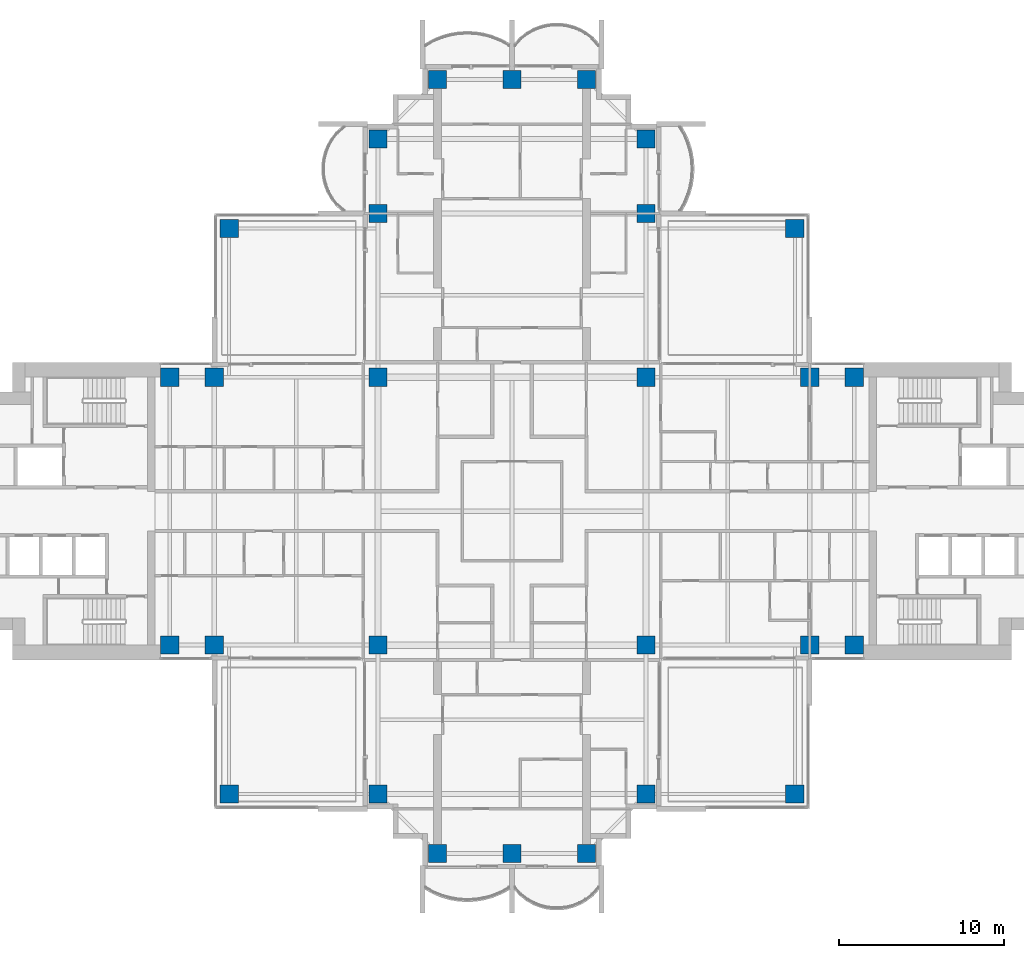
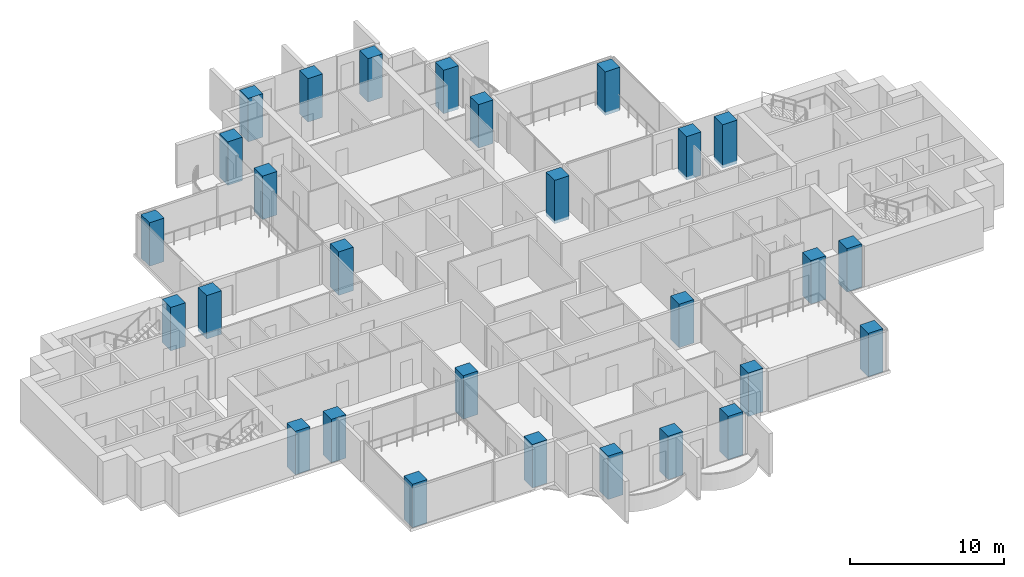
# One storey, part 1 of 19: 28 columns.
"""IFC4 building model written with IfcOpenShell, lengths in metres."""

from ifc_helpers import new_model, si_unit, direction, frame, origin, origin_2d, place, context, subcontext, project, spatial, rectangle, extrude, material, material_profile, profile_set, type_object, element, save


model = new_model("IFC4")

# Units and contexts
model_context = context("Model", 3, precision=1e-05, world=origin(), true_north=direction((0.0, 1.0)))
body_context = subcontext(model_context, "Body", "Model", "MODEL_VIEW")
ifc_project = project(units=[si_unit("LENGTHUNIT", "METRE"), si_unit("AREAUNIT", "SQUARE_METRE"), si_unit("VOLUMEUNIT", "CUBIC_METRE"), si_unit("PLANEANGLEUNIT", "RADIAN"), si_unit("MASSUNIT", "GRAM", prefix="KILO")], contexts=[model_context])

# Site, building, storey
site_placement = place(None, origin())
site = spatial("IfcSite", under=ifc_project, at=site_placement, CompositionType="ELEMENT")
building_placement = place(site_placement, origin())
building = spatial("IfcBuilding", under=site, at=building_placement, Name="Perihelion Cross Residences", CompositionType="ELEMENT")
storey_placement = place(building_placement, frame((0.0, 0.0, 151.39990234375)))
storey = spatial("IfcBuildingStorey", under=building, at=storey_placement, Name="L37", CompositionType="ELEMENT", Elevation=151.39990234375)

# Columns
ifc_material = material(Name="Concrete C60/75", Category="concrete")
ifc_material_profile = material_profile(ifc_material, rectangle(XDim=1.10009765625, YDim=1.10009765625, at=origin_2d()), Name="RC 1100x1100")
ifc_profile_set = profile_set([ifc_material_profile], Name="Concrete C60/75")
column_type = type_object("IfcColumnType", Name="Reinforced concrete column 1100x1100 C60/75", PredefinedType="COLUMN", material=ifc_profile_set)
for number, where, z_axis, x_axis, name in (
    (1, (-20.699951171875, -8.10009765625, -0.25), (0.0, 0.0, 1.0), (1.0, 0.0, 0.0), "Column C017 L37 no. 1"),
    (2, (-20.699951171875, 8.10009765625, -0.25), (0.0, 0.0, 1.0), (1.0, 0.0, 0.0), "Column C010 L37 no. 1"),
    (3, (-18.0, -8.10009765625, -0.25), (0.0, 0.0, 1.0), (1.0, 0.0, 0.0), "Column C018 L37 no. 1"),
    (4, (-18.0, 8.10009765625, -0.25), (0.0, 0.0, 1.0), (1.0, 0.0, 0.0), "Column C011 L37 no. 1"),
    (5, (-8.10009765625, -17.10009765625, -0.25), (0.0, 0.0, 1.0), (1.0, 0.0, 0.0), "Column C031 L37 no. 1"),
    (6, (-8.10009765625, -8.10009765625, -0.25), (0.0, 0.0, 1.0), (1.0, 0.0, 0.0), "Column C019 L37 no. 1"),
    (7, (-8.10009765625, 8.10009765625, -0.25), (0.0, 0.0, 1.0), (1.0, 0.0, 0.0), "Column C012 L37 no. 1"),
    (8, (-8.10009765625, 18.0, -0.25), (0.0, 0.0, 1.0), (1.0, 0.0, 0.0), "Column C006 L37 no. 1"),
    (9, (-8.10009765625, 22.5, -0.25), (0.0, 0.0, 1.0), (1.0, 0.0, 0.0), "Column C004 L37 no. 1"),
    (10, (-4.5, -20.699951171875, -0.25), (0.0, 0.0, 1.0), (1.0, 0.0, 0.0), "Column C037 L37 no. 1"),
    (11, (-4.5, 26.10009765625, -0.25), (0.0, 0.0, 1.0), (1.0, 0.0, 0.0), "Column C001 L37 no. 1"),
    (12, (0.0, -20.699951171875, -0.25), (0.0, 0.0, 1.0), (1.0, 0.0, 0.0), "Column C038 L37 no. 1"),
    (13, (0.0, 26.10009765625, -0.25), (0.0, 0.0, 1.0), (1.0, 0.0, 0.0), "Column C002 L37 no. 1"),
    (14, (4.5, -20.699951171875, -0.25), (0.0, 0.0, 1.0), (1.0, 0.0, 0.0), "Column C039 L37 no. 1"),
    (15, (4.5, 26.10009765625, -0.25), (0.0, 0.0, 1.0), (1.0, 0.0, 0.0), "Column C003 L37 no. 1"),
    (16, (8.10009765625, -17.10009765625, -0.25), (0.0, 0.0, 1.0), (1.0, 0.0, 0.0), "Column C035 L37 no. 1"),
    (17, (8.10009765625, -8.10009765625, -0.25), (0.0, 0.0, 1.0), (1.0, 0.0, 0.0), "Column C020 L37 no. 1"),
    (18, (8.10009765625, 8.10009765625, -0.25), (0.0, 0.0, 1.0), (1.0, 0.0, 0.0), "Column C014 L37 no. 1"),
    (19, (8.10009765625, 18.0, -0.25), (0.0, 0.0, 1.0), (1.0, 0.0, 0.0), "Column C007 L37 no. 1"),
    (20, (8.10009765625, 22.5, -0.25), (0.0, 0.0, 1.0), (1.0, 0.0, 0.0), "Column C005 L37 no. 1"),
    (21, (18.0, -8.10009765625, -0.25), (0.0, 0.0, 1.0), (1.0, 0.0, 0.0), "Column C021 L37 no. 1"),
    (22, (18.0, 8.10009765625, -0.25), (0.0, 0.0, 1.0), (1.0, 0.0, 0.0), "Column C015 L37 no. 1"),
    (23, (20.699951171875, -8.10009765625, -0.25), (0.0, 0.0, 1.0), (1.0, 0.0, 0.0), "Column C022 L37 no. 1"),
    (24, (20.699951171875, 8.10009765625, -0.25), (0.0, 0.0, 1.0), (1.0, 0.0, 0.0), "Column C016 L37 no. 1"),
    (25, (17.10009765625, 17.10009765625, -0.25), (0.0, 0.0, 1.0), (1.0, 0.0, 0.0), "Column C009 L37 no. 1"),
    (26, (-17.10009765625, 17.10009765625, -0.25), (0.0, 0.0, 1.0), (1.0, 0.0, 0.0), "Column C008 L37 no. 1"),
    (27, (-17.10009765625, -17.10009765625, -0.25), (0.0, 0.0, 1.0), (1.0, 0.0, 0.0), "Column C030 L37 no. 1"),
    (28, (17.10009765625, -17.10009765625, -0.25), (0.0, 0.0, 1.0), (1.0, 0.0, 0.0), "Column C036 L37 no. 1"),
):
    element("IfcColumn", number, at=place(storey_placement, frame(where, z_axis=z_axis, x_axis=x_axis)), inside=storey, type_object=column_type, Name=name, PredefinedType="COLUMN", context=body_context, shape_type="SweptSolid", body=[
        extrude(rectangle(XDim=1.10009765625, YDim=1.10009765625, at=origin_2d()), origin(), (0.0, 0.0, 1.0), 3.4501953125),
    ])

save(model, "model.ifc")
